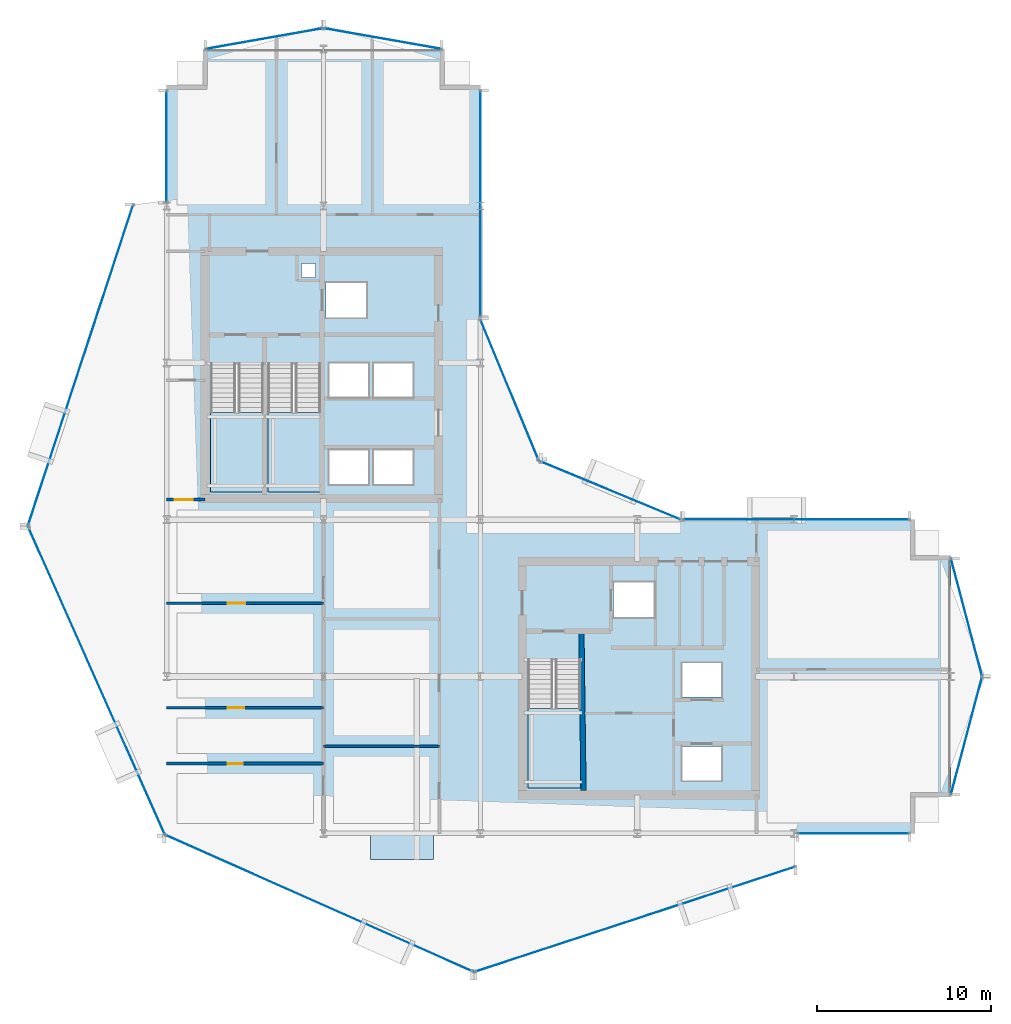
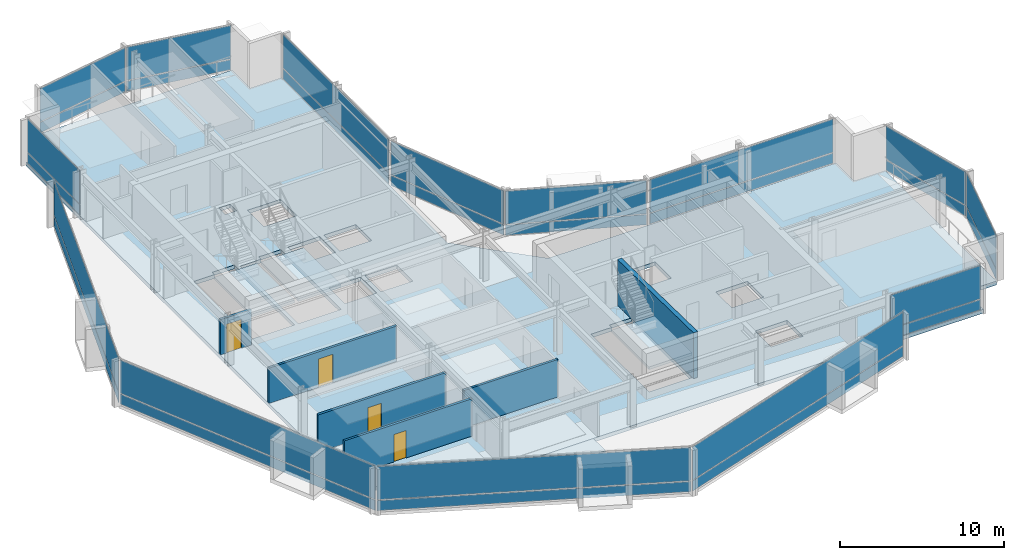
# One storey, part 21 of 28: 28 plates, 6 walls, 5 slabs, 4 doors, 4 openings, 17 elements without a shape of their own.
"""IFC4 building model written with IfcOpenShell, lengths in metres."""

from ifc_helpers import new_model, si_unit, direction, frame, frame_2d, origin, origin_2d, place, context, subcontext, project, spatial, polyline, rectangle, outline, extrude, material, layer, layer_set, type_object, element, fill, aggregate, save


model = new_model("IFC4")

# Units and contexts
model_context = context("Model", 3, precision=1e-05, world=origin(), true_north=direction((0.0, 1.0)))
body_context = subcontext(model_context, "Body", "Model", "MODEL_VIEW")
ifc_project = project(units=[si_unit("LENGTHUNIT", "METRE"), si_unit("AREAUNIT", "SQUARE_METRE"), si_unit("VOLUMEUNIT", "CUBIC_METRE"), si_unit("PLANEANGLEUNIT", "RADIAN"), si_unit("MASSUNIT", "GRAM", prefix="KILO")], contexts=[model_context])

# Site, building, storey
site_placement = place(None, origin())
site = spatial("IfcSite", under=ifc_project, at=site_placement, CompositionType="ELEMENT")
building_placement = place(site_placement, origin())
building = spatial("IfcBuilding", under=site, at=building_placement, Name="Solvaryn Broadcast Tower", CompositionType="ELEMENT")
storey_placement = place(building_placement, frame((0.0, 0.0, 135.89990234375)))
storey = spatial("IfcBuildingStorey", under=building, at=storey_placement, Name="L33", CompositionType="ELEMENT", Elevation=135.89990234375)

# Curtain wall, plates
ifc_material_1 = material(Name="Aluminium and Terracotta Unitised Curtain Wall", Category="masonry")
ifc_layer_1 = layer(ifc_material_1, 0.199951171875)
ifc_layer_set_1 = layer_set([ifc_layer_1], Name="CW-SYS2-LOWMID")
curtain_wall_type = type_object("IfcCurtainWallType", Name="CW-SYS2-LOWMID", PredefinedType="NOTDEFINED", material=ifc_layer_set_1)
curtain_wall_1_placement = place(storey_placement, origin())
curtain_wall_1 = element("IfcCurtainWall", 1, at=curtain_wall_1_placement, inside=storey, type_object=curtain_wall_type, Name="L33 Curtain Wall DR1", PredefinedType="NOTDEFINED")
ifc_material_2 = material(Name="Low-Iron Insulated Vision Glass", Category="glass")
ifc_layer_2 = layer(ifc_material_2, 0.035888671875)
ifc_layer_set_2 = layer_set([ifc_layer_2], Name="CW-PNL-VISION")
plate_type = type_object("IfcPlateType", Name="CW-PNL-VISION", PredefinedType="CURTAIN_PANEL", material=ifc_layer_set_2)
plate_1_placement = place(storey_placement, frame((4.056396484375, 35.8515625, 0.06005859375), z_axis=(0.0, 0.0, 1.0), x_axis=(-0.311646057547, -0.950198260794, 0.0)))
plate_1 = element("IfcPlate", 2, at=plate_1_placement, type_object=plate_type, Name="CWS2 panel 1.1", PredefinedType="CURTAIN_PANEL", context=body_context, shape_type="SweptSolid", body=[
    extrude(rectangle(XDim=19.277099609375, YDim=0.028076171875, at=origin_2d()), origin(), (0.0, 0.0, 1.0), 0.760009765625),
])
plate_2_placement = place(storey_placement, frame((4.056396484375, 35.8515625, 0.880126953125), z_axis=(0.0, 0.0, 1.0), x_axis=(-0.311646057547, -0.950198260794, 0.0)))
plate_2 = element("IfcPlate", 3, at=plate_2_placement, type_object=plate_type, Name="CWS2 panel 1.2", PredefinedType="CURTAIN_PANEL", context=body_context, shape_type="SweptSolid", body=[
    extrude(rectangle(XDim=19.277099609375, YDim=0.028076171875, at=origin_2d()), origin(), (0.0, 0.0, 1.0), 2.47998046875),
])
aggregate(curtain_wall_1, [plate_1, plate_2])

curtain_wall_2_placement = place(storey_placement, origin())
curtain_wall_2 = element("IfcCurtainWall", 4, at=curtain_wall_2_placement, inside=storey, type_object=curtain_wall_type, Name="L33 Curtain Wall DR2", PredefinedType="NOTDEFINED")
plate_3_placement = place(storey_placement, frame((4.970947265625, 17.77197265625, 0.06005859375), z_axis=(0.0, 0.0, 1.0), x_axis=(0.405918429309, -0.913909311008, 0.0)))
plate_3 = element("IfcPlate", 5, at=plate_3_placement, type_object=plate_type, Name="CWS2 panel 1.1", PredefinedType="CURTAIN_PANEL", context=body_context, shape_type="SweptSolid", body=[
    extrude(rectangle(XDim=19.278076171875, YDim=0.028076171875, at=origin_2d()), origin(), (0.0, 0.0, 1.0), 0.760009765625),
])
plate_4_placement = place(storey_placement, frame((4.970947265625, 17.77197265625, 0.880126953125), z_axis=(0.0, 0.0, 1.0), x_axis=(0.405918429309, -0.913909311008, 0.0)))
plate_4 = element("IfcPlate", 6, at=plate_4_placement, type_object=plate_type, Name="CWS2 panel 1.2", PredefinedType="CURTAIN_PANEL", context=body_context, shape_type="SweptSolid", body=[
    extrude(rectangle(XDim=19.278076171875, YDim=0.028076171875, at=origin_2d()), origin(), (0.0, 0.0, 1.0), 2.47998046875),
])
aggregate(curtain_wall_2, [plate_3, plate_4])

curtain_wall_3_placement = place(storey_placement, origin())
curtain_wall_3 = element("IfcCurtainWall", 7, at=curtain_wall_3_placement, inside=storey, type_object=curtain_wall_type, Name="L33 Curtain Wall DR3", PredefinedType="NOTDEFINED")
plate_5_placement = place(storey_placement, frame((17.77197265625, 4.970947265625, 0.06005859375), z_axis=(0.0, 0.0, 1.0), x_axis=(0.913909311008, -0.405918429309, 0.0)))
plate_5 = element("IfcPlate", 8, at=plate_5_placement, type_object=plate_type, Name="CWS2 panel 1.1", PredefinedType="CURTAIN_PANEL", context=body_context, shape_type="SweptSolid", body=[
    extrude(rectangle(XDim=19.278076171875, YDim=0.028076171875, at=origin_2d()), origin(), (0.0, 0.0, 1.0), 0.760009765625),
])
plate_6_placement = place(storey_placement, frame((17.77197265625, 4.970947265625, 0.880126953125), z_axis=(0.0, 0.0, 1.0), x_axis=(0.913909311008, -0.405918429309, 0.0)))
plate_6 = element("IfcPlate", 9, at=plate_6_placement, type_object=plate_type, Name="CWS2 panel 1.2", PredefinedType="CURTAIN_PANEL", context=body_context, shape_type="SweptSolid", body=[
    extrude(rectangle(XDim=19.278076171875, YDim=0.028076171875, at=origin_2d()), origin(), (0.0, 0.0, 1.0), 2.47998046875),
])
aggregate(curtain_wall_3, [plate_5, plate_6])

curtain_wall_4_placement = place(storey_placement, origin())
curtain_wall_4 = element("IfcCurtainWall", 10, at=curtain_wall_4_placement, inside=storey, type_object=curtain_wall_type, Name="L33 Curtain Wall DR4", PredefinedType="NOTDEFINED")
plate_7_placement = place(storey_placement, frame((35.8515625, 4.056396484375, 0.06005859375), z_axis=(0.0, 0.0, 1.0), x_axis=(0.950198260794, 0.311646057547, 0.0)))
plate_7 = element("IfcPlate", 11, at=plate_7_placement, type_object=plate_type, Name="CWS2 panel 1.1", PredefinedType="CURTAIN_PANEL", context=body_context, shape_type="SweptSolid", body=[
    extrude(rectangle(XDim=19.277099609375, YDim=0.028076171875, at=origin_2d()), origin(), (0.0, 0.0, 1.0), 0.760009765625),
])
plate_8_placement = place(storey_placement, frame((35.8515625, 4.056396484375, 0.880126953125), z_axis=(0.0, 0.0, 1.0), x_axis=(0.950198260794, 0.311646057547, 0.0)))
plate_8 = element("IfcPlate", 12, at=plate_8_placement, type_object=plate_type, Name="CWS2 panel 1.2", PredefinedType="CURTAIN_PANEL", context=body_context, shape_type="SweptSolid", body=[
    extrude(rectangle(XDim=19.277099609375, YDim=0.028076171875, at=origin_2d()), origin(), (0.0, 0.0, 1.0), 2.47998046875),
])
aggregate(curtain_wall_4, [plate_7, plate_8])

curtain_wall_5_placement = place(storey_placement, origin())
curtain_wall_5 = element("IfcCurtainWall", 13, at=curtain_wall_5_placement, inside=storey, type_object=curtain_wall_type, Name="L33 Curtain Wall W2", PredefinedType="NOTDEFINED")
plate_9_placement = place(storey_placement, frame((9.0, 48.408447265625, 0.06005859375), z_axis=(0.0, 0.0, 1.0), x_axis=(0.0, 1.0, 0.0)))
plate_9 = element("IfcPlate", 14, at=plate_9_placement, type_object=plate_type, Name="CWS2 panel 1.1", PredefinedType="CURTAIN_PANEL", context=body_context, shape_type="SweptSolid", body=[
    extrude(rectangle(XDim=6.363037109375, YDim=0.028076171875, at=origin_2d()), origin(), (0.0, 0.0, 1.0), 0.760009765625),
])
plate_10_placement = place(storey_placement, frame((9.0, 48.408447265625, 0.880126953125), z_axis=(0.0, 0.0, 1.0), x_axis=(0.0, 1.0, 0.0)))
plate_10 = element("IfcPlate", 15, at=plate_10_placement, type_object=plate_type, Name="CWS2 panel 1.2", PredefinedType="CURTAIN_PANEL", context=body_context, shape_type="SweptSolid", body=[
    extrude(rectangle(XDim=6.363037109375, YDim=0.028076171875, at=origin_2d()), origin(), (0.0, 0.0, 1.0), 2.47998046875),
])
aggregate(curtain_wall_5, [plate_9, plate_10])

curtain_wall_6_placement = place(storey_placement, origin())
curtain_wall_6 = element("IfcCurtainWall", 16, at=curtain_wall_6_placement, inside=storey, type_object=curtain_wall_type, Name="L33 Curtain Wall IV", PredefinedType="NOTDEFINED")
plate_11_placement = place(storey_placement, frame((27.0, 45.125, 0.06005859375), z_axis=(0.0, 0.0, 1.0), x_axis=(0.0, -1.0, 0.0)))
plate_11 = element("IfcPlate", 17, at=plate_11_placement, type_object=plate_type, Name="CWS2 panel 1.1", PredefinedType="CURTAIN_PANEL", context=body_context, shape_type="SweptSolid", body=[
    extrude(rectangle(XDim=12.929931640625, YDim=0.028076171875, at=origin_2d()), origin(), (0.0, 0.0, 1.0), 0.760009765625),
])
plate_12_placement = place(storey_placement, frame((27.0, 45.125, 0.880126953125), z_axis=(0.0, 0.0, 1.0), x_axis=(0.0, -1.0, 0.0)))
plate_12 = element("IfcPlate", 18, at=plate_12_placement, type_object=plate_type, Name="CWS2 panel 1.2", PredefinedType="CURTAIN_PANEL", context=body_context, shape_type="SweptSolid", body=[
    extrude(rectangle(XDim=12.929931640625, YDim=0.028076171875, at=origin_2d()), origin(), (0.0, 0.0, 1.0), 2.47998046875),
])
aggregate(curtain_wall_6, [plate_11, plate_12])

curtain_wall_7_placement = place(storey_placement, origin())
curtain_wall_7 = element("IfcCurtainWall", 19, at=curtain_wall_7_placement, inside=storey, type_object=curtain_wall_type, Name="L33 Curtain Wall CN1", PredefinedType="NOTDEFINED")
plate_13_placement = place(storey_placement, frame((34.43408203125, 28.68408203125, 0.06005859375), z_axis=(0.0, 0.0, 1.0), x_axis=(-0.923894983957, 0.382646127145, 0.0)))
plate_13 = element("IfcPlate", 20, at=plate_13_placement, type_object=plate_type, Name="CWS2 panel 1.1", PredefinedType="CURTAIN_PANEL", context=body_context, shape_type="SweptSolid", body=[
    extrude(rectangle(XDim=8.681884765625, YDim=0.028076171875, at=origin_2d()), origin(), (0.0, 0.0, 1.0), 0.760009765625),
])
plate_14_placement = place(storey_placement, frame((34.43408203125, 28.68408203125, 0.880126953125), z_axis=(0.0, 0.0, 1.0), x_axis=(-0.923894983957, 0.382646127145, 0.0)))
plate_14 = element("IfcPlate", 21, at=plate_14_placement, type_object=plate_type, Name="CWS2 panel 1.2", PredefinedType="CURTAIN_PANEL", context=body_context, shape_type="SweptSolid", body=[
    extrude(rectangle(XDim=8.681884765625, YDim=0.028076171875, at=origin_2d()), origin(), (0.0, 0.0, 1.0), 2.47998046875),
])
aggregate(curtain_wall_7, [plate_13, plate_14])

curtain_wall_8_placement = place(storey_placement, origin())
curtain_wall_8 = element("IfcCurtainWall", 22, at=curtain_wall_8_placement, inside=storey, type_object=curtain_wall_type, Name="L33 Curtain Wall CN2", PredefinedType="NOTDEFINED")
plate_15_placement = place(storey_placement, frame((28.68408203125, 34.43408203125, 0.06005859375), z_axis=(0.0, 0.0, 1.0), x_axis=(-0.382646127145, 0.923894983957, 0.0)))
plate_15 = element("IfcPlate", 23, at=plate_15_placement, type_object=plate_type, Name="CWS2 panel 1.1", PredefinedType="CURTAIN_PANEL", context=body_context, shape_type="SweptSolid", body=[
    extrude(rectangle(XDim=8.681884765625, YDim=0.028076171875, at=origin_2d()), origin(), (0.0, 0.0, 1.0), 0.760009765625),
])
plate_16_placement = place(storey_placement, frame((28.68408203125, 34.43408203125, 0.880126953125), z_axis=(0.0, 0.0, 1.0), x_axis=(-0.382646127145, 0.923894983957, 0.0)))
plate_16 = element("IfcPlate", 24, at=plate_16_placement, type_object=plate_type, Name="CWS2 panel 1.2", PredefinedType="CURTAIN_PANEL", context=body_context, shape_type="SweptSolid", body=[
    extrude(rectangle(XDim=8.681884765625, YDim=0.028076171875, at=origin_2d()), origin(), (0.0, 0.0, 1.0), 2.47998046875),
])
aggregate(curtain_wall_8, [plate_15, plate_16])

curtain_wall_9_placement = place(storey_placement, origin())
curtain_wall_9 = element("IfcCurtainWall", 25, at=curtain_wall_9_placement, inside=storey, type_object=curtain_wall_type, Name="L33 Curtain Wall S2", PredefinedType="NOTDEFINED")
plate_17_placement = place(storey_placement, frame((48.408447265625, 9.0, 0.06005859375), z_axis=(0.0, 0.0, 1.0), x_axis=(1.0, 0.0, 0.0)))
plate_17 = element("IfcPlate", 26, at=plate_17_placement, type_object=plate_type, Name="CWS2 panel 1.1", PredefinedType="CURTAIN_PANEL", context=body_context, shape_type="SweptSolid", body=[
    extrude(rectangle(XDim=6.363037109375, YDim=0.028076171875, at=origin_2d()), origin(), (0.0, 0.0, 1.0), 0.760009765625),
])
plate_18_placement = place(storey_placement, frame((48.408447265625, 9.0, 0.880126953125), z_axis=(0.0, 0.0, 1.0), x_axis=(1.0, 0.0, 0.0)))
plate_18 = element("IfcPlate", 27, at=plate_18_placement, type_object=plate_type, Name="CWS2 panel 1.2", PredefinedType="CURTAIN_PANEL", context=body_context, shape_type="SweptSolid", body=[
    extrude(rectangle(XDim=6.363037109375, YDim=0.028076171875, at=origin_2d()), origin(), (0.0, 0.0, 1.0), 2.47998046875),
])
aggregate(curtain_wall_9, [plate_17, plate_18])

curtain_wall_10_placement = place(storey_placement, origin())
curtain_wall_10 = element("IfcCurtainWall", 28, at=curtain_wall_10_placement, inside=storey, type_object=curtain_wall_type, Name="L33 Curtain Wall NT1", PredefinedType="NOTDEFINED")
plate_19_placement = place(storey_placement, frame((21.39990234375, 54.60009765625, 0.06005859375), z_axis=(0.0, 0.0, 1.0), x_axis=(-0.984783558819, 0.173785333901, 0.0)))
plate_19 = element("IfcPlate", 29, at=plate_19_placement, type_object=plate_type, Name="CWS2 panel 1.1", PredefinedType="CURTAIN_PANEL", context=body_context, shape_type="SweptSolid", body=[
    extrude(rectangle(XDim=6.78515625, YDim=0.028076171875, at=origin_2d()), origin(), (0.0, 0.0, 1.0), 0.760009765625),
])
plate_20_placement = place(storey_placement, frame((21.39990234375, 54.60009765625, 0.880126953125), z_axis=(0.0, 0.0, 1.0), x_axis=(-0.984783558819, 0.173785333901, 0.0)))
plate_20 = element("IfcPlate", 30, at=plate_20_placement, type_object=plate_type, Name="CWS2 panel 1.2", PredefinedType="CURTAIN_PANEL", context=body_context, shape_type="SweptSolid", body=[
    extrude(rectangle(XDim=6.78515625, YDim=0.028076171875, at=origin_2d()), origin(), (0.0, 0.0, 1.0), 2.47998046875),
])
aggregate(curtain_wall_10, [plate_19, plate_20])

curtain_wall_11_placement = place(storey_placement, origin())
curtain_wall_11 = element("IfcCurtainWall", 31, at=curtain_wall_11_placement, inside=storey, type_object=curtain_wall_type, Name="L33 Curtain Wall NT2", PredefinedType="NOTDEFINED")
plate_21_placement = place(storey_placement, frame((14.60009765625, 54.60009765625, 0.06005859375), z_axis=(0.0, 0.0, 1.0), x_axis=(-0.984783558819, -0.173785333901, 0.0)))
plate_21 = element("IfcPlate", 32, at=plate_21_placement, type_object=plate_type, Name="CWS2 panel 1.1", PredefinedType="CURTAIN_PANEL", context=body_context, shape_type="SweptSolid", body=[
    extrude(rectangle(XDim=6.78515625, YDim=0.028076171875, at=origin_2d()), origin(), (0.0, 0.0, 1.0), 0.760009765625),
])
plate_22_placement = place(storey_placement, frame((14.60009765625, 54.60009765625, 0.880126953125), z_axis=(0.0, 0.0, 1.0), x_axis=(-0.984783558819, -0.173785333901, 0.0)))
plate_22 = element("IfcPlate", 33, at=plate_22_placement, type_object=plate_type, Name="CWS2 panel 1.2", PredefinedType="CURTAIN_PANEL", context=body_context, shape_type="SweptSolid", body=[
    extrude(rectangle(XDim=6.78515625, YDim=0.028076171875, at=origin_2d()), origin(), (0.0, 0.0, 1.0), 2.47998046875),
])
aggregate(curtain_wall_11, [plate_21, plate_22])

curtain_wall_12_placement = place(storey_placement, origin())
curtain_wall_12 = element("IfcCurtainWall", 34, at=curtain_wall_12_placement, inside=storey, type_object=curtain_wall_type, Name="L33 Curtain Wall ET1", PredefinedType="NOTDEFINED")
plate_23_placement = place(storey_placement, frame((54.89990234375, 21.39990234375, 0.06005859375), z_axis=(0.0, 0.0, 1.0), x_axis=(0.25589256031, -0.966705227863, 0.0)))
plate_23 = element("IfcPlate", 35, at=plate_23_placement, type_object=plate_type, Name="CWS2 panel 1.1", PredefinedType="CURTAIN_PANEL", context=body_context, shape_type="SweptSolid", body=[
    extrude(rectangle(XDim=6.914306640625, YDim=0.028076171875, at=origin_2d()), origin(), (0.0, 0.0, 1.0), 0.760009765625),
])
plate_24_placement = place(storey_placement, frame((54.89990234375, 21.39990234375, 0.880126953125), z_axis=(0.0, 0.0, 1.0), x_axis=(0.25589256031, -0.966705227863, 0.0)))
plate_24 = element("IfcPlate", 36, at=plate_24_placement, type_object=plate_type, Name="CWS2 panel 1.2", PredefinedType="CURTAIN_PANEL", context=body_context, shape_type="SweptSolid", body=[
    extrude(rectangle(XDim=6.914306640625, YDim=0.028076171875, at=origin_2d()), origin(), (0.0, 0.0, 1.0), 2.47998046875),
])
aggregate(curtain_wall_12, [plate_23, plate_24])

curtain_wall_13_placement = place(storey_placement, origin())
curtain_wall_13 = element("IfcCurtainWall", 37, at=curtain_wall_13_placement, inside=storey, type_object=curtain_wall_type, Name="L33 Curtain Wall ET2", PredefinedType="NOTDEFINED")
plate_25_placement = place(storey_placement, frame((54.89990234375, 14.60009765625, 0.06005859375), z_axis=(0.0, 0.0, 1.0), x_axis=(-0.25589256031, -0.966705227863, 0.0)))
plate_25 = element("IfcPlate", 38, at=plate_25_placement, type_object=plate_type, Name="CWS2 panel 1.1", PredefinedType="CURTAIN_PANEL", context=body_context, shape_type="SweptSolid", body=[
    extrude(rectangle(XDim=6.914306640625, YDim=0.028076171875, at=origin_2d()), origin(), (0.0, 0.0, 1.0), 0.760009765625),
])
plate_26_placement = place(storey_placement, frame((54.89990234375, 14.60009765625, 0.880126953125), z_axis=(0.0, 0.0, 1.0), x_axis=(-0.25589256031, -0.966705227863, 0.0)))
plate_26 = element("IfcPlate", 39, at=plate_26_placement, type_object=plate_type, Name="CWS2 panel 1.2", PredefinedType="CURTAIN_PANEL", context=body_context, shape_type="SweptSolid", body=[
    extrude(rectangle(XDim=6.914306640625, YDim=0.028076171875, at=origin_2d()), origin(), (0.0, 0.0, 1.0), 2.47998046875),
])
aggregate(curtain_wall_13, [plate_25, plate_26])

curtain_wall_14_placement = place(storey_placement, origin())
curtain_wall_14 = element("IfcCurtainWall", 40, at=curtain_wall_14_placement, inside=storey, type_object=curtain_wall_type, Name="L33 Curtain Wall IH", PredefinedType="NOTDEFINED")
plate_27_placement = place(storey_placement, frame((45.125, 27.0, 0.06005859375), z_axis=(0.0, 0.0, 1.0), x_axis=(1.0, 0.0, 0.0)))
plate_27 = element("IfcPlate", 41, at=plate_27_placement, type_object=plate_type, Name="CWS2 panel 1.1", PredefinedType="CURTAIN_PANEL", context=body_context, shape_type="SweptSolid", body=[
    extrude(rectangle(XDim=12.929931640625, YDim=0.028076171875, at=origin_2d()), origin(), (0.0, 0.0, 1.0), 0.760009765625),
])
plate_28_placement = place(storey_placement, frame((45.125, 27.0, 0.880126953125), z_axis=(0.0, 0.0, 1.0), x_axis=(1.0, 0.0, 0.0)))
plate_28 = element("IfcPlate", 42, at=plate_28_placement, type_object=plate_type, Name="CWS2 panel 1.2", PredefinedType="CURTAIN_PANEL", context=body_context, shape_type="SweptSolid", body=[
    extrude(rectangle(XDim=12.929931640625, YDim=0.028076171875, at=origin_2d()), origin(), (0.0, 0.0, 1.0), 2.47998046875),
])
aggregate(curtain_wall_14, [plate_27, plate_28])

# Slab
ifc_material_3 = material(Name="Concrete f'c 60 MPa", Category="concrete")
ifc_layer_3 = layer(ifc_material_3, 0.2099609375)
ifc_layer_set_3 = layer_set([ifc_layer_3], Name="SL-BAYBOX-210")
slab_type_1 = type_object("IfcSlabType", Name="SL-BAYBOX-210", PredefinedType="FLOOR", material=ifc_layer_set_3)
slab_1_placement = place(storey_placement, frame((0.0, 0.0, -0.2099609375)))
element("IfcSlab", 43, at=slab_1_placement, inside=storey, type_object=slab_type_1, Name="L33 Projecting Bay-Box Slab 1", PredefinedType="FLOOR", context=body_context, shape_type="SweptSolid", body=[
    extrude(outline(polyline([(20.699951171875, 7.5), (24.300048828125, 7.5), (24.300048828125, 9.0), (20.699951171875, 9.0), (20.699951171875, 7.5)])), origin(), (0.0, 0.0, 1.0), 0.2099609375),
])

# Stair, slab
ifc_material_4 = material(Name="Concrete f'c 60 MPa", Category="concrete")
stair_type = type_object("IfcStairType", Name="ST-CORE", PredefinedType="HALF_TURN_STAIR", material=ifc_material_4)
stair_1_placement = place(storey_placement, origin())
stair_1 = element("IfcStair", 44, at=stair_1_placement, inside=storey, type_object=stair_type, Name="L33 ST1", PredefinedType="HALF_TURN_STAIR")
ifc_material_5 = material(Name="Concrete f'c 60 MPa", Category="concrete")
ifc_layer_4 = layer(ifc_material_5, 0.199951171875)
ifc_layer_set_4 = layer_set([ifc_layer_4], Name="SL-LANDING-200")
slab_type_2 = type_object("IfcSlabType", Name="SL-LANDING-200", PredefinedType="LANDING", material=ifc_layer_set_4)
slab_2_placement = place(storey_placement, frame((0.0, 0.0, 1.650146484375)))
slab_2 = element("IfcSlab", 45, at=slab_2_placement, type_object=slab_type_2, Name="ST1 landing 1", PredefinedType="LANDING", context=body_context, shape_type="SweptSolid", body=[
    extrude(outline(polyline([(11.52001953125, 33.159912109375), (11.52001953125, 28.60009765625), (14.550048828125, 28.60009765625), (14.550048828125, 33.159912109375), (11.52001953125, 33.159912109375)])), origin(), (0.0, 0.0, 1.0), 0.199951171875),
])
aggregate(stair_1, [slab_2])

stair_2_placement = place(storey_placement, origin())
stair_2 = element("IfcStair", 46, at=stair_2_placement, inside=storey, type_object=stair_type, Name="L33 ST2", PredefinedType="HALF_TURN_STAIR")
slab_3_placement = place(storey_placement, frame((0.0, 0.0, 1.650146484375)))
slab_3 = element("IfcSlab", 47, at=slab_3_placement, type_object=slab_type_2, Name="ST2 landing 1", PredefinedType="LANDING", context=body_context, shape_type="SweptSolid", body=[
    extrude(outline(polyline([(14.800048828125, 33.159912109375), (14.800048828125, 28.60009765625), (17.830078125, 28.60009765625), (17.830078125, 33.159912109375), (14.800048828125, 33.159912109375)])), origin(), (0.0, 0.0, 1.0), 0.199951171875),
])
aggregate(stair_2, [slab_3])

stair_3_placement = place(storey_placement, origin())
stair_3 = element("IfcStair", 48, at=stair_3_placement, inside=storey, type_object=stair_type, Name="L33 ST3", PredefinedType="HALF_TURN_STAIR")
slab_4_placement = place(storey_placement, frame((0.0, 0.0, 1.650146484375)))
slab_4 = element("IfcSlab", 49, at=slab_4_placement, type_object=slab_type_2, Name="ST3 landing 1", PredefinedType="LANDING", context=body_context, shape_type="SweptSolid", body=[
    extrude(outline(polyline([(29.719970703125, 16.159912109375), (29.719970703125, 11.60009765625), (32.75, 11.60009765625), (32.75, 16.159912109375), (29.719970703125, 16.159912109375)])), origin(), (0.0, 0.0, 1.0), 0.199951171875),
])
aggregate(stair_3, [slab_4])

# Slab
ifc_material_6 = material(Name="Concrete f'c 60 MPa", Category="concrete")
ifc_layer_5 = layer(ifc_material_6, 0.280029296875)
ifc_layer_set_5 = layer_set([ifc_layer_5], Name="SL-TWR-280")
slab_type_3 = type_object("IfcSlabType", Name="SL-TWR-280", PredefinedType="FLOOR", material=ifc_layer_set_5)
slab_5_placement = place(storey_placement, frame((0.0, 0.0, -0.27978515625)))
element("IfcSlab", 50, at=slab_5_placement, inside=storey, type_object=slab_type_3, Name="L33 Structural Floor Slab", PredefinedType="FLOOR", context=body_context, shape_type="SweptSolid", body=[
    extrude(outline(polyline([(11.199951171875, 9.0), (51.800048828125, 9.0), (51.800048828125, 11.199951171875), (54.0, 11.199951171875), (54.0, 24.800048828125), (51.800048828125, 24.800048828125), (51.800048828125, 27.0), (31.5, 27.0), (27.0, 31.5), (27.0, 51.800048828125), (24.800048828125, 51.800048828125), (24.800048828125, 54.0), (11.199951171875, 54.0), (11.199951171875, 51.800048828125), (9.0, 51.800048828125), (9.0, 11.199951171875), (11.199951171875, 11.199951171875), (11.199951171875, 9.0)]), holes=[polyline([(11.52001953125, 28.60009765625), (14.550048828125, 28.60009765625), (14.550048828125, 35.9599609375), (12.97998046875, 35.9599609375), (12.97998046875, 35.679931640625), (11.52001953125, 35.679931640625), (11.52001953125, 28.60009765625)]), polyline([(14.800048828125, 28.60009765625), (17.830078125, 28.60009765625), (17.830078125, 35.9599609375), (16.260009765625, 35.9599609375), (16.260009765625, 35.679931640625), (14.800048828125, 35.679931640625), (14.800048828125, 28.60009765625)]), polyline([(29.719970703125, 11.60009765625), (32.75, 11.60009765625), (32.75, 18.9599609375), (31.179931640625, 18.9599609375), (31.179931640625, 18.679931640625), (29.719970703125, 18.679931640625), (29.719970703125, 11.60009765625)]), polyline([(18.14990234375, 38.60009765625), (20.449951171875, 38.60009765625), (20.449951171875, 40.60009765625), (18.14990234375, 40.60009765625), (18.14990234375, 38.60009765625)]), polyline([(18.324951171875, 29.02490234375), (20.574951171875, 29.02490234375), (20.574951171875, 30.97509765625), (18.324951171875, 30.97509765625), (18.324951171875, 29.02490234375)]), polyline([(20.875, 29.02490234375), (23.125, 29.02490234375), (23.125, 30.97509765625), (20.875, 30.97509765625), (20.875, 29.02490234375)]), polyline([(18.324951171875, 34.02490234375), (20.574951171875, 34.02490234375), (20.574951171875, 35.97509765625), (18.324951171875, 35.97509765625), (18.324951171875, 34.02490234375)]), polyline([(20.875, 34.02490234375), (23.125, 34.02490234375), (23.125, 35.97509765625), (20.875, 35.97509765625), (20.875, 34.02490234375)]), polyline([(34.64990234375, 21.39990234375), (36.949951171875, 21.39990234375), (36.949951171875, 23.39990234375), (34.64990234375, 23.39990234375), (34.64990234375, 21.39990234375)]), polyline([(38.574951171875, 12.02490234375), (40.824951171875, 12.02490234375), (40.824951171875, 13.97509765625), (38.574951171875, 13.97509765625), (38.574951171875, 12.02490234375)]), polyline([(38.574951171875, 16.824951171875), (40.824951171875, 16.824951171875), (40.824951171875, 18.77490234375), (38.574951171875, 18.77490234375), (38.574951171875, 16.824951171875)]), polyline([(16.75, 40.89990234375), (17.550048828125, 40.89990234375), (17.550048828125, 41.699951171875), (16.75, 41.699951171875), (16.75, 40.89990234375)])]), origin(), (0.0, 0.0, 1.0), 0.27978515625),
])

# Wall, opening, door
ifc_material_7 = material(Name="Metal-Stud Gypsum Office Partition")
ifc_layer_6 = layer(ifc_material_7, 0.159912109375)
ifc_layer_set_6 = layer_set([ifc_layer_6], Name="IW-PART-160")
wall_type_1 = type_object("IfcWallType", Name="IW-PART-160", PredefinedType="PARTITIONING", material=ifc_layer_set_6)
wall_1_placement = place(storey_placement, frame((9.0, 28.14990234375, 0.0), z_axis=(0.0, 0.0, 1.0), x_axis=(1.0, 0.0, 0.0)))
wall_1 = element("IfcWall", 51, at=wall_1_placement, inside=storey, type_object=wall_type_1, Name="L33 Interior Partition IW-L33-WM-S", PredefinedType="PARTITIONING", context=body_context, shape_type="SweptSolid", body=[
    extrude(rectangle(XDim=2.199951171875, YDim=0.159912109375, at=frame_2d((1.10009765625, 0.0))), origin(), (0.0, 0.0, 1.0), 2.634033203125),
])
opening_1_placement = place(wall_1_placement, frame((0.449951171875, 0.0, 0.0)))
opening_1 = element("IfcOpeningElement", 52, at=opening_1_placement, cuts=wall_1, Name="Opening ID03", PredefinedType="OPENING", context=body_context, shape_type="SweptSolid", body=[
    extrude(rectangle(XDim=1.050048828125, YDim=2.14990234375, at=frame_2d((0.52490234375, 1.074951171875))), frame((0.0, 0.090087890625, 0.0), z_axis=(0.0, -1.0, 0.0), x_axis=(1.0, 0.0, 0.0)), (0.0, 0.0, 1.0), 0.179931640625),
])
ifc_material_8 = material(Name="Flush Acoustic Steel and Timber Door Assembly", Category="steel")
door_type_1 = type_object("IfcDoorType", Name="ID-03-1050X2150", OperationType="NOTDEFINED", PredefinedType="DOOR", material=ifc_material_8)
door_1_placement = place(opening_1_placement, origin())
door_1 = element("IfcDoor", 53, at=door_1_placement, inside=storey, type_object=door_type_1, Name="L33 Door DR-L33-WM0", OperationType="SINGLE_SWING_LEFT", OverallHeight=2.14990234375, OverallWidth=1.050048828125, PredefinedType="DOOR", context=body_context, shape_type="SweptSolid", body=[
    extrude(rectangle(XDim=1.050048828125, YDim=2.14990234375, at=frame_2d((0.52490234375, 1.074951171875))), frame((0.0, 0.02490234375, 0.0), z_axis=(0.0, -1.0, 0.0), x_axis=(1.0, 0.0, 0.0)), (0.0, 0.0, 1.0), 0.050048828125),
])
fill(opening_1, door_1)

# Wall
wall_2_placement = place(storey_placement, frame((18.0, 14.0, 0.0), z_axis=(0.0, 0.0, 1.0), x_axis=(1.0, 0.0, 0.0)))
element("IfcWall", 54, at=wall_2_placement, inside=storey, type_object=wall_type_1, Name="L33 Interior Partition IW-L33-SWE-H1", PredefinedType="PARTITIONING", context=body_context, shape_type="SweptSolid", body=[
    extrude(rectangle(XDim=6.64990234375, YDim=0.159912109375, at=frame_2d((3.324951171875, 0.0))), origin(), (0.0, 0.0, 1.0), 2.7890625),
])

# Wall, opening, door
wall_3_placement = place(storey_placement, frame((9.0, 13.0, 0.0), z_axis=(0.0, 0.0, 1.0), x_axis=(1.0, 0.0, 0.0)))
wall_3 = element("IfcWall", 55, at=wall_3_placement, inside=storey, type_object=wall_type_1, Name="L33 Interior Partition IW-L33-SWW-H1", PredefinedType="PARTITIONING", context=body_context, shape_type="SweptSolid", body=[
    extrude(rectangle(XDim=9.0, YDim=0.159912109375, at=frame_2d((4.5, 0.0))), origin(), (0.0, 0.0, 1.0), 2.7919921875),
])
opening_2_placement = place(wall_3_placement, frame((3.5, 0.0, 0.0)))
opening_2 = element("IfcOpeningElement", 56, at=opening_2_placement, cuts=wall_3, Name="Opening ID07", PredefinedType="OPENING", context=body_context, shape_type="SweptSolid", body=[
    extrude(rectangle(XDim=0.860107421875, YDim=2.050048828125, at=frame_2d((0.43017578125, 1.02490234375))), frame((0.0, 0.090087890625, 0.0), z_axis=(0.0, -1.0, 0.0), x_axis=(1.0, 0.0, 0.0)), (0.0, 0.0, 1.0), 0.179931640625),
])
ifc_material_9 = material(Name="Flush Acoustic Steel and Timber Door Assembly", Category="steel")
door_type_2 = type_object("IfcDoorType", Name="ID-07-860X2050", OperationType="NOTDEFINED", PredefinedType="DOOR", material=ifc_material_9)
door_2_placement = place(opening_2_placement, origin())
door_2 = element("IfcDoor", 57, at=door_2_placement, inside=storey, type_object=door_type_2, Name="L33 Door DR-L33-SWW-1", OperationType="SINGLE_SWING_RIGHT", OverallHeight=2.050048828125, OverallWidth=0.860107421875, PredefinedType="DOOR", context=body_context, shape_type="SweptSolid", body=[
    extrude(rectangle(XDim=0.860107421875, YDim=2.050048828125, at=frame_2d((0.43017578125, 1.02490234375))), frame((0.0, 0.02490234375, 0.0), z_axis=(0.0, -1.0, 0.0), x_axis=(1.0, 0.0, 0.0)), (0.0, 0.0, 1.0), 0.050048828125),
])
fill(opening_2, door_2)

wall_4_placement = place(storey_placement, frame((9.0, 16.199951171875, 0.0), z_axis=(0.0, 0.0, 1.0), x_axis=(1.0, 0.0, 0.0)))
wall_4 = element("IfcWall", 58, at=wall_4_placement, inside=storey, type_object=wall_type_1, Name="L33 Interior Partition IW-L33-SWW-H2", PredefinedType="PARTITIONING", context=body_context, shape_type="SweptSolid", body=[
    extrude(rectangle(XDim=9.0, YDim=0.159912109375, at=frame_2d((4.5, 0.0))), origin(), (0.0, 0.0, 1.0), 2.7919921875),
])
opening_3_placement = place(wall_4_placement, frame((3.5, 0.0, 0.0)))
opening_3 = element("IfcOpeningElement", 59, at=opening_3_placement, cuts=wall_4, Name="Opening ID01", PredefinedType="OPENING", context=body_context, shape_type="SweptSolid", body=[
    extrude(rectangle(XDim=0.949951171875, YDim=2.10009765625, at=frame_2d((0.47509765625, 1.050048828125))), frame((0.0, 0.090087890625, 0.0), z_axis=(0.0, -1.0, 0.0), x_axis=(1.0, 0.0, 0.0)), (0.0, 0.0, 1.0), 0.179931640625),
])
ifc_material_10 = material(Name="Flush Acoustic Steel and Timber Door Assembly", Category="steel")
door_type_3 = type_object("IfcDoorType", Name="ID-01-950X2100", OperationType="NOTDEFINED", PredefinedType="DOOR", material=ifc_material_10)
door_3_placement = place(opening_3_placement, origin())
door_3 = element("IfcDoor", 60, at=door_3_placement, inside=storey, type_object=door_type_3, Name="L33 Door DR-L33-SWW-2", OperationType="SINGLE_SWING_LEFT", OverallHeight=2.10009765625, OverallWidth=0.949951171875, PredefinedType="DOOR", context=body_context, shape_type="SweptSolid", body=[
    extrude(rectangle(XDim=0.949951171875, YDim=2.10009765625, at=frame_2d((0.47509765625, 1.050048828125))), frame((0.0, 0.02490234375, 0.0), z_axis=(0.0, -1.0, 0.0), x_axis=(1.0, 0.0, 0.0)), (0.0, 0.0, 1.0), 0.050048828125),
])
fill(opening_3, door_3)

wall_5_placement = place(storey_placement, frame((9.0, 22.199951171875, 0.0), z_axis=(0.0, 0.0, 1.0), x_axis=(1.0, 0.0, 0.0)))
wall_5 = element("IfcWall", 61, at=wall_5_placement, inside=storey, type_object=wall_type_1, Name="L33 Interior Partition IW-L33-SWW-H3", PredefinedType="PARTITIONING", context=body_context, shape_type="SweptSolid", body=[
    extrude(rectangle(XDim=9.0, YDim=0.159912109375, at=frame_2d((4.5, 0.0))), origin(), (0.0, 0.0, 1.0), 2.634033203125),
])
opening_4_placement = place(wall_5_placement, frame((3.5, 0.0, 0.0)))
opening_4 = element("IfcOpeningElement", 62, at=opening_4_placement, cuts=wall_5, Name="Opening ID02", PredefinedType="OPENING", context=body_context, shape_type="SweptSolid", body=[
    extrude(rectangle(XDim=1.0, YDim=2.10009765625, at=frame_2d((0.5, 1.050048828125))), frame((0.0, 0.090087890625, 0.0), z_axis=(0.0, -1.0, 0.0), x_axis=(1.0, 0.0, 0.0)), (0.0, 0.0, 1.0), 0.179931640625),
])
ifc_material_11 = material(Name="Flush Acoustic Steel and Timber Door Assembly", Category="steel")
door_type_4 = type_object("IfcDoorType", Name="ID-02-1000X2100", OperationType="NOTDEFINED", PredefinedType="DOOR", material=ifc_material_11)
door_4_placement = place(opening_4_placement, origin())
door_4 = element("IfcDoor", 63, at=door_4_placement, inside=storey, type_object=door_type_4, Name="L33 Door DR-L33-SWW-3", OperationType="SINGLE_SWING_RIGHT", OverallHeight=2.10009765625, OverallWidth=1.0, PredefinedType="DOOR", context=body_context, shape_type="SweptSolid", body=[
    extrude(rectangle(XDim=1.0, YDim=2.10009765625, at=frame_2d((0.5, 1.050048828125))), frame((0.0, 0.02490234375, 0.0), z_axis=(0.0, -1.0, 0.0), x_axis=(1.0, 0.0, 0.0)), (0.0, 0.0, 1.0), 0.050048828125),
])
fill(opening_4, door_4)

# Wall
ifc_material_12 = material(Name="Concrete f'c 70 MPa", Category="concrete")
ifc_layer_7 = layer(ifc_material_12, 0.300048828125)
ifc_layer_set_7 = layer_set([ifc_layer_7], Name="SW-SHAFT-300")
wall_type_2 = type_object("IfcWallType", Name="SW-SHAFT-300", PredefinedType="SHEAR", material=ifc_layer_set_7)
wall_6_placement = place(storey_placement, frame((32.919921875, 11.449951171875, 0.0), z_axis=(0.0, 0.0, 1.0), x_axis=(-0.013171578211, 0.999913251001, 0.0)))
element("IfcWall", 64, at=wall_6_placement, inside=storey, type_object=wall_type_2, Name="L33 Stair 3 East Shear Wall", PredefinedType="SHEAR", context=body_context, shape_type="SweptSolid", body=[
    extrude(rectangle(XDim=9.100830078125, YDim=0.300048828125, at=frame_2d((4.55029296875, 0.0))), origin(), (0.0, 0.0, 1.0), 3.420166015625),
])

save(model, "model.ifc")
